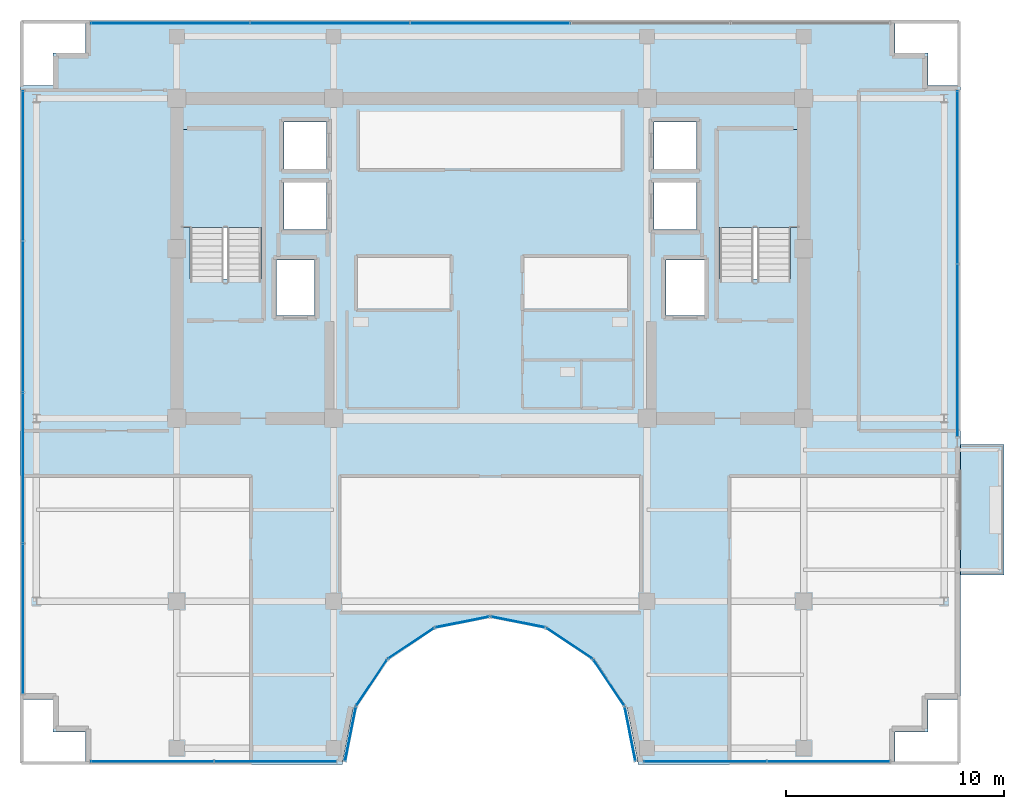
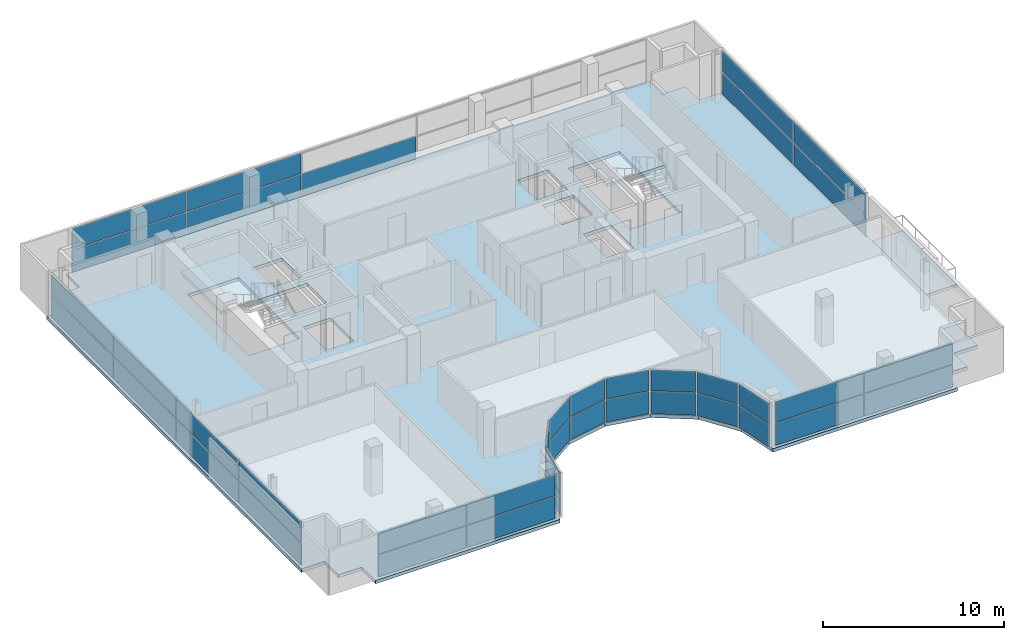
# One storey, part 22 of 29: 41 plates, 4 slabs, 15 elements without a shape of their own.
"""IFC4 building model written with IfcOpenShell, lengths in metres."""

from ifc_helpers import new_model, si_unit, direction, frame, origin, origin_2d, place, context, subcontext, project, spatial, polyline, rectangle, outline, extrude, source, transform, mapped, material, layer, layer_set, type_object, element, aggregate, save


model = new_model("IFC4")

# Units and contexts
model_context = context("Model", 3, precision=1e-05, world=origin(), true_north=direction((0.0, 1.0)))
body_context = subcontext(model_context, "Body", "Model", "MODEL_VIEW")
ifc_project = project(units=[si_unit("LENGTHUNIT", "METRE"), si_unit("AREAUNIT", "SQUARE_METRE"), si_unit("VOLUMEUNIT", "CUBIC_METRE"), si_unit("PLANEANGLEUNIT", "RADIAN"), si_unit("MASSUNIT", "GRAM", prefix="KILO")], contexts=[model_context])

# Site, building, storey
site_placement = place(None, origin())
site = spatial("IfcSite", under=ifc_project, at=site_placement, CompositionType="ELEMENT")
building_placement = place(site_placement, origin())
building = spatial("IfcBuilding", under=site, at=building_placement, Name="Zarnakvel Exchange Tower", CompositionType="ELEMENT")
storey_placement = place(building_placement, frame((0.0, 0.0, 265.0)))
storey = spatial("IfcBuildingStorey", under=building, at=storey_placement, Name="L75", CompositionType="ELEMENT", Elevation=265.0)

# Stair, slab
ifc_material_1 = material(Name="Concrete C40/50", Category="concrete")
stair_type = type_object("IfcStairType", Name="STR-01", PredefinedType="HALF_TURN_STAIR", material=ifc_material_1)
stair_1_placement = place(storey_placement, origin())
stair_1 = element("IfcStair", 1, at=stair_1_placement, inside=storey, type_object=stair_type, Name="L75 Protected Core Exit Stair ST-01", PredefinedType="HALF_TURN_STAIR")
ifc_layer_1 = layer(ifc_material_1, 0.199951171875)
ifc_layer_set_1 = layer_set([ifc_layer_1], Name="Concrete C40/50")
slab_type_1 = type_object("IfcSlabType", Name="LDG-01", PredefinedType="LANDING", material=ifc_layer_set_1)
slab_1_placement = place(storey_placement, frame((0.0, 0.0, 1.449951171875)))
slab_1 = element("IfcSlab", 2, at=slab_1_placement, type_object=slab_type_1, Name="ST-01 landing 1", PredefinedType="LANDING", context=body_context, shape_type="SweptSolid", body=[
    extrude(outline(polyline([(-14.18994140625, 7.570068359375), (-10.4599609375, 7.570068359375), (-10.4599609375, 12.080078125), (-14.18994140625, 12.080078125), (-14.18994140625, 7.570068359375)])), origin(), (0.0, 0.0, 1.0), 0.199951171875),
])
aggregate(stair_1, [slab_1])

stair_2_placement = place(storey_placement, origin())
stair_2 = element("IfcStair", 3, at=stair_2_placement, inside=storey, type_object=stair_type, Name="L75 Protected Core Exit Stair ST-02", PredefinedType="HALF_TURN_STAIR")
slab_2_placement = place(storey_placement, frame((0.0, 0.0, 1.449951171875)))
slab_2 = element("IfcSlab", 4, at=slab_2_placement, type_object=slab_type_1, Name="ST-02 landing 1", PredefinedType="LANDING", context=body_context, shape_type="SweptSolid", body=[
    extrude(outline(polyline([(10.4599609375, 7.570068359375), (14.18994140625, 7.570068359375), (14.18994140625, 12.080078125), (10.4599609375, 12.080078125), (10.4599609375, 7.570068359375)])), origin(), (0.0, 0.0, 1.0), 0.199951171875),
])
aggregate(stair_2, [slab_2])

# Slabs
ifc_layer_2 = layer(ifc_material_1, 0.22509765625)
ifc_layer_set_2 = layer_set([ifc_layer_2], Name="Concrete C40/50")
slab_type_2 = type_object("IfcSlabType", Name="SL-04", PredefinedType="FLOOR", material=ifc_layer_set_2)
slab_3_placement = place(storey_placement, frame((0.0, 0.0, -0.22509765625)))
element("IfcSlab", 5, at=slab_3_placement, inside=storey, type_object=slab_type_2, Name="L75 Primary Structural Floor Slab", PredefinedType="FLOOR", context=body_context, shape_type="SweptSolid", body=[
    extrude(outline(polyline([(-21.60009765625, -14.10009765625), (-20.10009765625, -14.10009765625), (-20.10009765625, -15.60009765625), (-18.60009765625, -15.60009765625), (-18.60009765625, -17.10009765625), (-6.800048828125, -17.10009765625), (-6.282470703125, -14.497802734375), (-4.808349609375, -12.291748046875), (-2.602294921875, -10.817626953125), (0.0, -10.300048828125), (2.602294921875, -10.817626953125), (4.808349609375, -12.291748046875), (6.282470703125, -14.497802734375), (6.800048828125, -17.10009765625), (18.60009765625, -17.10009765625), (18.60009765625, -15.60009765625), (20.10009765625, -15.60009765625), (20.10009765625, -14.10009765625), (21.60009765625, -14.10009765625), (21.60009765625, 14.10009765625), (20.10009765625, 14.10009765625), (20.10009765625, 15.60009765625), (18.60009765625, 15.60009765625), (18.60009765625, 17.10009765625), (-18.60009765625, 17.10009765625), (-18.60009765625, 15.60009765625), (-20.10009765625, 15.60009765625), (-20.10009765625, 14.10009765625), (-21.60009765625, 14.10009765625), (-21.60009765625, -14.10009765625)]), holes=[polyline([(-13.800048828125, 5.2099609375), (-10.5400390625, 5.2099609375), (-10.5400390625, 12.0), (-13.800048828125, 12.0), (-13.800048828125, 5.2099609375)]), polyline([(10.5400390625, 5.2099609375), (13.800048828125, 5.2099609375), (13.800048828125, 12.0), (10.5400390625, 12.0), (10.5400390625, 5.2099609375)]), polyline([(-9.830078125, 3.52001953125), (-8.070068359375, 3.52001953125), (-8.070068359375, 6.080078125), (-9.830078125, 6.080078125), (-9.830078125, 3.52001953125)]), polyline([(8.070068359375, 3.52001953125), (9.830078125, 3.52001953125), (9.830078125, 6.080078125), (8.070068359375, 6.080078125), (8.070068359375, 3.52001953125)]), polyline([(-9.47998046875, 7.469970703125), (-7.52001953125, 7.469970703125), (-7.52001953125, 9.6298828125), (-9.47998046875, 9.6298828125), (-9.47998046875, 7.469970703125)]), polyline([(-9.47998046875, 10.27001953125), (-7.52001953125, 10.27001953125), (-7.52001953125, 12.429931640625), (-9.47998046875, 12.429931640625), (-9.47998046875, 10.27001953125)]), polyline([(7.52001953125, 7.469970703125), (9.47998046875, 7.469970703125), (9.47998046875, 9.6298828125), (7.52001953125, 9.6298828125), (7.52001953125, 7.469970703125)]), polyline([(7.52001953125, 10.27001953125), (9.47998046875, 10.27001953125), (9.47998046875, 12.429931640625), (7.52001953125, 12.429931640625), (7.52001953125, 10.27001953125)])]), origin(), (0.0, 0.0, 1.0), 0.22509765625),
])
ifc_layer_3 = layer(ifc_material_1, 0.18994140625)
ifc_layer_set_3 = layer_set([ifc_layer_3], Name="Concrete C40/50")
slab_type_3 = type_object("IfcSlabType", Name="SL-08", PredefinedType="USERDEFINED", material=ifc_layer_set_3)
slab_4_placement = place(storey_placement, frame((0.0, 0.0, -0.22509765625)))
element("IfcSlab", 6, at=slab_4_placement, inside=storey, type_object=slab_type_3, Name="L75 Planted Loggia Balcony Slab BAL-L75-E", ObjectType="BALCONY", PredefinedType="USERDEFINED", context=body_context, shape_type="SweptSolid", body=[
    extrude(outline(polyline([(21.60009765625, -8.39990234375), (23.60009765625, -8.39990234375), (23.60009765625, -2.39990234375), (21.60009765625, -2.39990234375), (21.60009765625, -8.39990234375)])), origin(), (0.0, 0.0, 1.0), 0.190185546875),
])

# Curtain wall, plates
ifc_material_2 = material(Name="Architectural Bronze Anodised Aluminium", Category="aluminium")
ifc_layer_4 = layer(ifc_material_2, 0.199951171875)
ifc_layer_set_4 = layer_set([ifc_layer_4], Name="Architectural Bronze Anodised Aluminium")
curtain_wall_type_1 = type_object("IfcCurtainWallType", Name="CW-04", PredefinedType="NOTDEFINED", material=ifc_layer_set_4)
curtain_wall_1_placement = place(storey_placement, origin())
curtain_wall_1 = element("IfcCurtainWall", 7, at=curtain_wall_1_placement, inside=storey, type_object=curtain_wall_type_1, Name="L75 Curtain Wall CW-L75-W1 (CW-04)", PredefinedType="NOTDEFINED")
ifc_material_3 = material(Name="Double Low-E Laminated Vision Glass", Category="glass")
ifc_layer_5 = layer(ifc_material_3, 0.028076171875)
ifc_layer_set_5 = layer_set([ifc_layer_5], Name="Double Low-E Laminated Vision Glass")
plate_type_1 = type_object("IfcPlateType", Name="CWP-04", PredefinedType="CURTAIN_PANEL", material=ifc_layer_set_5)
shared_shape_1 = source(origin(), body_context, "Body", "SweptSolid", [
    extrude(rectangle(XDim=6.83740234375, YDim=0.028076171875, at=origin_2d()), origin(), (0.0, 0.0, 1.0), 1.47607421875),
])
plate_1_placement = place(storey_placement, frame((-21.4599609375, -10.40625, 0.074951171875), z_axis=(0.0, 0.0, 1.0), x_axis=(0.0, 1.0, 0.0)))
plate_1 = element("IfcPlate", 8, at=plate_1_placement, type_object=plate_type_1, Name="CW-04 panel 1.1", PredefinedType="CURTAIN_PANEL", context=body_context, shape_type="MappedRepresentation", body=[
    mapped(shared_shape_1, transform((0.0, 0.0, 0.0), x_axis=(1.0, 0.0, 0.0), y_axis=(0.0, 1.0, 0.0), z_axis=(0.0, 0.0, 1.0), scale=1.0)),
])
plate_2_placement = place(storey_placement, frame((-21.4599609375, 10.40625, 0.074951171875), z_axis=(0.0, 0.0, 1.0), x_axis=(0.0, 1.0, 0.0)))
plate_2 = element("IfcPlate", 9, at=plate_2_placement, type_object=plate_type_1, Name="CW-04 panel 4.1", PredefinedType="CURTAIN_PANEL", context=body_context, shape_type="MappedRepresentation", body=[
    mapped(shared_shape_1, transform((0.0, 0.0, 0.0), x_axis=(1.0, 0.0, 0.0), y_axis=(0.0, 1.0, 0.0), z_axis=(0.0, 0.0, 1.0), scale=1.0)),
])
shared_shape_2 = source(origin(), body_context, "Body", "SweptSolid", [
    extrude(rectangle(XDim=6.83740234375, YDim=0.028076171875, at=origin_2d()), origin(), (0.0, 0.0, 1.0), 1.35400390625),
])
plate_3_placement = place(storey_placement, frame((-21.4599609375, -10.40625, 1.6259765625), z_axis=(0.0, 0.0, 1.0), x_axis=(0.0, 1.0, 0.0)))
plate_3 = element("IfcPlate", 10, at=plate_3_placement, type_object=plate_type_1, Name="CW-04 panel 1.2", PredefinedType="CURTAIN_PANEL", context=body_context, shape_type="MappedRepresentation", body=[
    mapped(shared_shape_2, transform((0.0, 0.0, 0.0), x_axis=(1.0, 0.0, 0.0), y_axis=(0.0, 1.0, 0.0), z_axis=(0.0, 0.0, 1.0), scale=1.0)),
])
plate_4_placement = place(storey_placement, frame((-21.4599609375, 10.40625, 1.6259765625), z_axis=(0.0, 0.0, 1.0), x_axis=(0.0, 1.0, 0.0)))
plate_4 = element("IfcPlate", 11, at=plate_4_placement, type_object=plate_type_1, Name="CW-04 panel 4.2", PredefinedType="CURTAIN_PANEL", context=body_context, shape_type="MappedRepresentation", body=[
    mapped(shared_shape_2, transform((0.0, 0.0, 0.0), x_axis=(1.0, 0.0, 0.0), y_axis=(0.0, 1.0, 0.0), z_axis=(0.0, 0.0, 1.0), scale=1.0)),
])
shared_shape_3 = source(origin(), body_context, "Body", "SweptSolid", [
    extrude(rectangle(XDim=6.875, YDim=0.028076171875, at=origin_2d()), origin(), (0.0, 0.0, 1.0), 1.47607421875),
])
plate_5_placement = place(storey_placement, frame((-21.4599609375, -3.47509765625, 0.074951171875), z_axis=(0.0, 0.0, 1.0), x_axis=(0.0, 1.0, 0.0)))
plate_5 = element("IfcPlate", 12, at=plate_5_placement, type_object=plate_type_1, Name="CW-04 panel 2.1", PredefinedType="CURTAIN_PANEL", context=body_context, shape_type="MappedRepresentation", body=[
    mapped(shared_shape_3, transform((0.0, 0.0, 0.0), x_axis=(1.0, 0.0, 0.0), y_axis=(0.0, 1.0, 0.0), z_axis=(0.0, 0.0, 1.0), scale=1.0)),
])
plate_6_placement = place(storey_placement, frame((-21.4599609375, 3.47509765625, 0.074951171875), z_axis=(0.0, 0.0, 1.0), x_axis=(0.0, 1.0, 0.0)))
plate_6 = element("IfcPlate", 13, at=plate_6_placement, type_object=plate_type_1, Name="CW-04 panel 3.1", PredefinedType="CURTAIN_PANEL", context=body_context, shape_type="MappedRepresentation", body=[
    mapped(shared_shape_3, transform((0.0, 0.0, 0.0), x_axis=(1.0, 0.0, 0.0), y_axis=(0.0, 1.0, 0.0), z_axis=(0.0, 0.0, 1.0), scale=1.0)),
])
shared_shape_4 = source(origin(), body_context, "Body", "SweptSolid", [
    extrude(rectangle(XDim=6.875, YDim=0.028076171875, at=origin_2d()), origin(), (0.0, 0.0, 1.0), 1.35400390625),
])
plate_7_placement = place(storey_placement, frame((-21.4599609375, -3.47509765625, 1.6259765625), z_axis=(0.0, 0.0, 1.0), x_axis=(0.0, 1.0, 0.0)))
plate_7 = element("IfcPlate", 14, at=plate_7_placement, type_object=plate_type_1, Name="CW-04 panel 2.2", PredefinedType="CURTAIN_PANEL", context=body_context, shape_type="MappedRepresentation", body=[
    mapped(shared_shape_4, transform((0.0, 0.0, 0.0), x_axis=(1.0, 0.0, 0.0), y_axis=(0.0, 1.0, 0.0), z_axis=(0.0, 0.0, 1.0), scale=1.0)),
])
plate_8_placement = place(storey_placement, frame((-21.4599609375, 3.47509765625, 1.6259765625), z_axis=(0.0, 0.0, 1.0), x_axis=(0.0, 1.0, 0.0)))
plate_8 = element("IfcPlate", 15, at=plate_8_placement, type_object=plate_type_1, Name="CW-04 panel 3.2", PredefinedType="CURTAIN_PANEL", context=body_context, shape_type="MappedRepresentation", body=[
    mapped(shared_shape_4, transform((0.0, 0.0, 0.0), x_axis=(1.0, 0.0, 0.0), y_axis=(0.0, 1.0, 0.0), z_axis=(0.0, 0.0, 1.0), scale=1.0)),
])
aggregate(curtain_wall_1, [plate_1, plate_3, plate_5, plate_7, plate_6, plate_8, plate_2, plate_4])

curtain_wall_2_placement = place(storey_placement, origin())
curtain_wall_2 = element("IfcCurtainWall", 16, at=curtain_wall_2_placement, inside=storey, type_object=curtain_wall_type_1, Name="L75 Curtain Wall CW-L75-EN (CW-04)", PredefinedType="NOTDEFINED")
shared_shape_5 = source(origin(), body_context, "Body", "SweptSolid", [
    extrude(rectangle(XDim=7.887451171875, YDim=0.028076171875, at=origin_2d()), origin(), (0.0, 0.0, 1.0), 1.47607421875),
])
plate_9_placement = place(storey_placement, frame((21.4599609375, 1.918701171875, 0.074951171875), z_axis=(0.0, 0.0, 1.0), x_axis=(0.0, 1.0, 0.0)))
plate_9 = element("IfcPlate", 17, at=plate_9_placement, type_object=plate_type_1, Name="CW-04 panel 1.1", PredefinedType="CURTAIN_PANEL", context=body_context, shape_type="MappedRepresentation", body=[
    mapped(shared_shape_5, transform((0.0, 0.0, 0.0), x_axis=(1.0, 0.0, 0.0), y_axis=(0.0, 1.0, 0.0), z_axis=(0.0, 0.0, 1.0), scale=1.0)),
])
plate_10_placement = place(storey_placement, frame((21.4599609375, 9.88134765625, 0.074951171875), z_axis=(0.0, 0.0, 1.0), x_axis=(0.0, 1.0, 0.0)))
plate_10 = element("IfcPlate", 18, at=plate_10_placement, type_object=plate_type_1, Name="CW-04 panel 2.1", PredefinedType="CURTAIN_PANEL", context=body_context, shape_type="MappedRepresentation", body=[
    mapped(shared_shape_5, transform((0.0, 0.0, 0.0), x_axis=(1.0, 0.0, 0.0), y_axis=(0.0, 1.0, 0.0), z_axis=(0.0, 0.0, 1.0), scale=1.0)),
])
shared_shape_6 = source(origin(), body_context, "Body", "SweptSolid", [
    extrude(rectangle(XDim=7.887451171875, YDim=0.028076171875, at=origin_2d()), origin(), (0.0, 0.0, 1.0), 1.35400390625),
])
plate_11_placement = place(storey_placement, frame((21.4599609375, 1.918701171875, 1.6259765625), z_axis=(0.0, 0.0, 1.0), x_axis=(0.0, 1.0, 0.0)))
plate_11 = element("IfcPlate", 19, at=plate_11_placement, type_object=plate_type_1, Name="CW-04 panel 1.2", PredefinedType="CURTAIN_PANEL", context=body_context, shape_type="MappedRepresentation", body=[
    mapped(shared_shape_6, transform((0.0, 0.0, 0.0), x_axis=(1.0, 0.0, 0.0), y_axis=(0.0, 1.0, 0.0), z_axis=(0.0, 0.0, 1.0), scale=1.0)),
])
plate_12_placement = place(storey_placement, frame((21.4599609375, 9.88134765625, 1.6259765625), z_axis=(0.0, 0.0, 1.0), x_axis=(0.0, 1.0, 0.0)))
plate_12 = element("IfcPlate", 20, at=plate_12_placement, type_object=plate_type_1, Name="CW-04 panel 2.2", PredefinedType="CURTAIN_PANEL", context=body_context, shape_type="MappedRepresentation", body=[
    mapped(shared_shape_6, transform((0.0, 0.0, 0.0), x_axis=(1.0, 0.0, 0.0), y_axis=(0.0, 1.0, 0.0), z_axis=(0.0, 0.0, 1.0), scale=1.0)),
])
aggregate(curtain_wall_2, [plate_9, plate_11, plate_10, plate_12])

# Curtain wall, plate
ifc_layer_6 = layer(ifc_material_2, 0.159912109375)
ifc_layer_set_6 = layer_set([ifc_layer_6], Name="Architectural Bronze Anodised Aluminium")
curtain_wall_type_2 = type_object("IfcCurtainWallType", Name="CW-06", PredefinedType="NOTDEFINED", material=ifc_layer_set_6)
curtain_wall_3_placement = place(storey_placement, origin())
curtain_wall_3 = element("IfcCurtainWall", 21, at=curtain_wall_3_placement, inside=storey, type_object=curtain_wall_type_2, Name="L75 Curtain Wall CW-L75-NC1 (CW-06)", PredefinedType="NOTDEFINED")
ifc_layer_7 = layer(ifc_material_3, 0.033935546875)
ifc_layer_set_7 = layer_set([ifc_layer_7], Name="Double Low-E Laminated Vision Glass")
plate_type_2 = type_object("IfcPlateType", Name="CWP-06", PredefinedType="CURTAIN_PANEL", material=ifc_layer_set_7)
shared_shape_7 = source(origin(), body_context, "Body", "SweptSolid", [
    extrude(rectangle(XDim=2.476318359375, YDim=0.033935546875, at=origin_2d()), origin(), (0.0, 0.0, 1.0), 1.4912109375),
])
plate_13_placement = place(storey_placement, frame((-6.42578125, -15.701904296875, 0.06494140625), z_axis=(0.0, 0.0, 1.0), x_axis=(0.195090448398, 0.980785255264, 0.0)))
plate_13 = element("IfcPlate", 22, at=plate_13_placement, type_object=plate_type_2, Name="CW-06 panel 1.1", PredefinedType="CURTAIN_PANEL", context=body_context, shape_type="MappedRepresentation", body=[
    mapped(shared_shape_7, transform((0.0, 0.0, 0.0), x_axis=(1.0, 0.0, 0.0), y_axis=(0.0, 1.0, 0.0), z_axis=(0.0, 0.0, 1.0), scale=1.0)),
])

curtain_wall_4_placement = place(storey_placement, origin())
curtain_wall_4 = element("IfcCurtainWall", 23, at=curtain_wall_4_placement, inside=storey, type_object=curtain_wall_type_2, Name="L75 Curtain Wall CW-L75-NC2 (CW-06)", PredefinedType="NOTDEFINED")
plate_14_placement = place(storey_placement, frame((-5.447509765625, -13.340087890625, 0.06494140625), z_axis=(0.0, 0.0, 1.0), x_axis=(0.555570233339, 0.831469612089, 0.0)))
plate_14 = element("IfcPlate", 24, at=plate_14_placement, type_object=plate_type_2, Name="CW-06 panel 1.1", PredefinedType="CURTAIN_PANEL", context=body_context, shape_type="MappedRepresentation", body=[
    mapped(shared_shape_7, transform((0.0, 0.0, 0.0), x_axis=(1.0, 0.0, 0.0), y_axis=(0.0, 1.0, 0.0), z_axis=(0.0, 0.0, 1.0), scale=1.0)),
])

curtain_wall_5_placement = place(storey_placement, origin())
curtain_wall_5 = element("IfcCurtainWall", 25, at=curtain_wall_5_placement, inside=storey, type_object=curtain_wall_type_2, Name="L75 Curtain Wall CW-L75-NC3 (CW-06)", PredefinedType="NOTDEFINED")
plate_15_placement = place(storey_placement, frame((-3.639892578125, -11.532470703125, 0.06494140625), z_axis=(0.0, 0.0, 1.0), x_axis=(0.831469612089, 0.555570233339, 0.0)))
plate_15 = element("IfcPlate", 26, at=plate_15_placement, type_object=plate_type_2, Name="CW-06 panel 1.1", PredefinedType="CURTAIN_PANEL", context=body_context, shape_type="MappedRepresentation", body=[
    mapped(shared_shape_7, transform((0.0, 0.0, 0.0), x_axis=(1.0, 0.0, 0.0), y_axis=(0.0, 1.0, 0.0), z_axis=(0.0, 0.0, 1.0), scale=1.0)),
])

curtain_wall_6_placement = place(storey_placement, origin())
curtain_wall_6 = element("IfcCurtainWall", 27, at=curtain_wall_6_placement, inside=storey, type_object=curtain_wall_type_2, Name="L75 Curtain Wall CW-L75-NC4 (CW-06)", PredefinedType="NOTDEFINED")
plate_16_placement = place(storey_placement, frame((-1.278076171875, -10.55419921875, 0.06494140625), z_axis=(0.0, 0.0, 1.0), x_axis=(0.980785255264, 0.195090448398, 0.0)))
plate_16 = element("IfcPlate", 28, at=plate_16_placement, type_object=plate_type_2, Name="CW-06 panel 1.1", PredefinedType="CURTAIN_PANEL", context=body_context, shape_type="MappedRepresentation", body=[
    mapped(shared_shape_7, transform((0.0, 0.0, 0.0), x_axis=(1.0, 0.0, 0.0), y_axis=(0.0, 1.0, 0.0), z_axis=(0.0, 0.0, 1.0), scale=1.0)),
])

curtain_wall_7_placement = place(storey_placement, origin())
curtain_wall_7 = element("IfcCurtainWall", 29, at=curtain_wall_7_placement, inside=storey, type_object=curtain_wall_type_2, Name="L75 Curtain Wall CW-L75-NC5 (CW-06)", PredefinedType="NOTDEFINED")
plate_17_placement = place(storey_placement, frame((1.278076171875, -10.55419921875, 0.06494140625), z_axis=(0.0, 0.0, 1.0), x_axis=(0.980785255264, -0.195090448398, 0.0)))
plate_17 = element("IfcPlate", 30, at=plate_17_placement, type_object=plate_type_2, Name="CW-06 panel 1.1", PredefinedType="CURTAIN_PANEL", context=body_context, shape_type="MappedRepresentation", body=[
    mapped(shared_shape_7, transform((0.0, 0.0, 0.0), x_axis=(1.0, 0.0, 0.0), y_axis=(0.0, 1.0, 0.0), z_axis=(0.0, 0.0, 1.0), scale=1.0)),
])

curtain_wall_8_placement = place(storey_placement, origin())
curtain_wall_8 = element("IfcCurtainWall", 31, at=curtain_wall_8_placement, inside=storey, type_object=curtain_wall_type_2, Name="L75 Curtain Wall CW-L75-NC6 (CW-06)", PredefinedType="NOTDEFINED")
plate_18_placement = place(storey_placement, frame((3.639892578125, -11.532470703125, 0.06494140625), z_axis=(0.0, 0.0, 1.0), x_axis=(0.831469612089, -0.555570233339, 0.0)))
plate_18 = element("IfcPlate", 32, at=plate_18_placement, type_object=plate_type_2, Name="CW-06 panel 1.1", PredefinedType="CURTAIN_PANEL", context=body_context, shape_type="MappedRepresentation", body=[
    mapped(shared_shape_7, transform((0.0, 0.0, 0.0), x_axis=(1.0, 0.0, 0.0), y_axis=(0.0, 1.0, 0.0), z_axis=(0.0, 0.0, 1.0), scale=1.0)),
])

curtain_wall_9_placement = place(storey_placement, origin())
curtain_wall_9 = element("IfcCurtainWall", 33, at=curtain_wall_9_placement, inside=storey, type_object=curtain_wall_type_2, Name="L75 Curtain Wall CW-L75-NC7 (CW-06)", PredefinedType="NOTDEFINED")
plate_19_placement = place(storey_placement, frame((5.447509765625, -13.340087890625, 0.06494140625), z_axis=(0.0, 0.0, 1.0), x_axis=(0.555570233339, -0.831469612089, 0.0)))
plate_19 = element("IfcPlate", 34, at=plate_19_placement, type_object=plate_type_2, Name="CW-06 panel 1.1", PredefinedType="CURTAIN_PANEL", context=body_context, shape_type="MappedRepresentation", body=[
    mapped(shared_shape_7, transform((0.0, 0.0, 0.0), x_axis=(1.0, 0.0, 0.0), y_axis=(0.0, 1.0, 0.0), z_axis=(0.0, 0.0, 1.0), scale=1.0)),
])

curtain_wall_10_placement = place(storey_placement, origin())
curtain_wall_10 = element("IfcCurtainWall", 35, at=curtain_wall_10_placement, inside=storey, type_object=curtain_wall_type_2, Name="L75 Curtain Wall CW-L75-NC8 (CW-06)", PredefinedType="NOTDEFINED")
plate_20_placement = place(storey_placement, frame((6.42578125, -15.701904296875, 0.06494140625), z_axis=(0.0, 0.0, 1.0), x_axis=(0.195090448398, -0.980785255264, 0.0)))
plate_20 = element("IfcPlate", 36, at=plate_20_placement, type_object=plate_type_2, Name="CW-06 panel 1.1", PredefinedType="CURTAIN_PANEL", context=body_context, shape_type="MappedRepresentation", body=[
    mapped(shared_shape_7, transform((0.0, 0.0, 0.0), x_axis=(1.0, 0.0, 0.0), y_axis=(0.0, 1.0, 0.0), z_axis=(0.0, 0.0, 1.0), scale=1.0)),
])

# Plate
shared_shape_8 = source(origin(), body_context, "Body", "SweptSolid", [
    extrude(rectangle(XDim=2.476318359375, YDim=0.033935546875, at=origin_2d()), origin(), (0.0, 0.0, 1.0), 1.368896484375),
])
plate_21_placement = place(storey_placement, frame((-6.42578125, -15.701904296875, 1.62109375), z_axis=(0.0, 0.0, 1.0), x_axis=(0.195090448398, 0.980785255264, 0.0)))
plate_21 = element("IfcPlate", 37, at=plate_21_placement, type_object=plate_type_2, Name="CW-06 panel 1.2", PredefinedType="CURTAIN_PANEL", context=body_context, shape_type="MappedRepresentation", body=[
    mapped(shared_shape_8, transform((0.0, 0.0, 0.0), x_axis=(1.0, 0.0, 0.0), y_axis=(0.0, 1.0, 0.0), z_axis=(0.0, 0.0, 1.0), scale=1.0)),
])

aggregate(curtain_wall_3, [plate_13, plate_21])

plate_22_placement = place(storey_placement, frame((-5.447509765625, -13.340087890625, 1.62109375), z_axis=(0.0, 0.0, 1.0), x_axis=(0.555570233339, 0.831469612089, 0.0)))
plate_22 = element("IfcPlate", 38, at=plate_22_placement, type_object=plate_type_2, Name="CW-06 panel 1.2", PredefinedType="CURTAIN_PANEL", context=body_context, shape_type="MappedRepresentation", body=[
    mapped(shared_shape_8, transform((0.0, 0.0, 0.0), x_axis=(1.0, 0.0, 0.0), y_axis=(0.0, 1.0, 0.0), z_axis=(0.0, 0.0, 1.0), scale=1.0)),
])

aggregate(curtain_wall_4, [plate_14, plate_22])

plate_23_placement = place(storey_placement, frame((-3.639892578125, -11.532470703125, 1.62109375), z_axis=(0.0, 0.0, 1.0), x_axis=(0.831469612089, 0.555570233339, 0.0)))
plate_23 = element("IfcPlate", 39, at=plate_23_placement, type_object=plate_type_2, Name="CW-06 panel 1.2", PredefinedType="CURTAIN_PANEL", context=body_context, shape_type="MappedRepresentation", body=[
    mapped(shared_shape_8, transform((0.0, 0.0, 0.0), x_axis=(1.0, 0.0, 0.0), y_axis=(0.0, 1.0, 0.0), z_axis=(0.0, 0.0, 1.0), scale=1.0)),
])

aggregate(curtain_wall_5, [plate_15, plate_23])

plate_24_placement = place(storey_placement, frame((-1.278076171875, -10.55419921875, 1.62109375), z_axis=(0.0, 0.0, 1.0), x_axis=(0.980785255264, 0.195090448398, 0.0)))
plate_24 = element("IfcPlate", 40, at=plate_24_placement, type_object=plate_type_2, Name="CW-06 panel 1.2", PredefinedType="CURTAIN_PANEL", context=body_context, shape_type="MappedRepresentation", body=[
    mapped(shared_shape_8, transform((0.0, 0.0, 0.0), x_axis=(1.0, 0.0, 0.0), y_axis=(0.0, 1.0, 0.0), z_axis=(0.0, 0.0, 1.0), scale=1.0)),
])

aggregate(curtain_wall_6, [plate_16, plate_24])

plate_25_placement = place(storey_placement, frame((1.278076171875, -10.55419921875, 1.62109375), z_axis=(0.0, 0.0, 1.0), x_axis=(0.980785255264, -0.195090448398, 0.0)))
plate_25 = element("IfcPlate", 41, at=plate_25_placement, type_object=plate_type_2, Name="CW-06 panel 1.2", PredefinedType="CURTAIN_PANEL", context=body_context, shape_type="MappedRepresentation", body=[
    mapped(shared_shape_8, transform((0.0, 0.0, 0.0), x_axis=(1.0, 0.0, 0.0), y_axis=(0.0, 1.0, 0.0), z_axis=(0.0, 0.0, 1.0), scale=1.0)),
])

aggregate(curtain_wall_7, [plate_17, plate_25])

plate_26_placement = place(storey_placement, frame((3.639892578125, -11.532470703125, 1.62109375), z_axis=(0.0, 0.0, 1.0), x_axis=(0.831469612089, -0.555570233339, 0.0)))
plate_26 = element("IfcPlate", 42, at=plate_26_placement, type_object=plate_type_2, Name="CW-06 panel 1.2", PredefinedType="CURTAIN_PANEL", context=body_context, shape_type="MappedRepresentation", body=[
    mapped(shared_shape_8, transform((0.0, 0.0, 0.0), x_axis=(1.0, 0.0, 0.0), y_axis=(0.0, 1.0, 0.0), z_axis=(0.0, 0.0, 1.0), scale=1.0)),
])

aggregate(curtain_wall_8, [plate_18, plate_26])

plate_27_placement = place(storey_placement, frame((5.447509765625, -13.340087890625, 1.62109375), z_axis=(0.0, 0.0, 1.0), x_axis=(0.555570233339, -0.831469612089, 0.0)))
plate_27 = element("IfcPlate", 43, at=plate_27_placement, type_object=plate_type_2, Name="CW-06 panel 1.2", PredefinedType="CURTAIN_PANEL", context=body_context, shape_type="MappedRepresentation", body=[
    mapped(shared_shape_8, transform((0.0, 0.0, 0.0), x_axis=(1.0, 0.0, 0.0), y_axis=(0.0, 1.0, 0.0), z_axis=(0.0, 0.0, 1.0), scale=1.0)),
])

aggregate(curtain_wall_9, [plate_19, plate_27])

plate_28_placement = place(storey_placement, frame((6.42578125, -15.701904296875, 1.62109375), z_axis=(0.0, 0.0, 1.0), x_axis=(0.195090448398, -0.980785255264, 0.0)))
plate_28 = element("IfcPlate", 44, at=plate_28_placement, type_object=plate_type_2, Name="CW-06 panel 1.2", PredefinedType="CURTAIN_PANEL", context=body_context, shape_type="MappedRepresentation", body=[
    mapped(shared_shape_8, transform((0.0, 0.0, 0.0), x_axis=(1.0, 0.0, 0.0), y_axis=(0.0, 1.0, 0.0), z_axis=(0.0, 0.0, 1.0), scale=1.0)),
])

aggregate(curtain_wall_10, [plate_20, plate_28])

# Curtain wall, plates
curtain_wall_11_placement = place(storey_placement, origin())
curtain_wall_11 = element("IfcCurtainWall", 45, at=curtain_wall_11_placement, inside=storey, type_object=curtain_wall_type_2, Name="L75 Curtain Wall CW-L75-NSW (CW-06)", PredefinedType="NOTDEFINED")
shared_shape_9 = source(origin(), body_context, "Body", "SweptSolid", [
    extrude(rectangle(XDim=5.6025390625, YDim=0.033935546875, at=origin_2d()), origin(), (0.0, 0.0, 1.0), 1.4912109375),
])
plate_29_placement = place(storey_placement, frame((-15.53369140625, -16.9599609375, 0.06494140625), z_axis=(0.0, 0.0, 1.0), x_axis=(1.0, 0.0, 0.0)))
plate_29 = element("IfcPlate", 46, at=plate_29_placement, type_object=plate_type_2, Name="CW-06 panel 1.1", PredefinedType="CURTAIN_PANEL", context=body_context, shape_type="MappedRepresentation", body=[
    mapped(shared_shape_9, transform((0.0, 0.0, 0.0), x_axis=(1.0, 0.0, 0.0), y_axis=(0.0, 1.0, 0.0), z_axis=(0.0, 0.0, 1.0), scale=1.0)),
])
plate_30_placement = place(storey_placement, frame((-9.8662109375, -16.9599609375, 0.06494140625), z_axis=(0.0, 0.0, 1.0), x_axis=(1.0, 0.0, 0.0)))
plate_30 = element("IfcPlate", 47, at=plate_30_placement, type_object=plate_type_2, Name="CW-06 panel 2.1", PredefinedType="CURTAIN_PANEL", context=body_context, shape_type="MappedRepresentation", body=[
    mapped(shared_shape_9, transform((0.0, 0.0, 0.0), x_axis=(1.0, 0.0, 0.0), y_axis=(0.0, 1.0, 0.0), z_axis=(0.0, 0.0, 1.0), scale=1.0)),
])

curtain_wall_12_placement = place(storey_placement, origin())
curtain_wall_12 = element("IfcCurtainWall", 48, at=curtain_wall_12_placement, inside=storey, type_object=curtain_wall_type_2, Name="L75 Curtain Wall CW-L75-NSE (CW-06)", PredefinedType="NOTDEFINED")
plate_31_placement = place(storey_placement, frame((9.8662109375, -16.9599609375, 0.06494140625), z_axis=(0.0, 0.0, 1.0), x_axis=(1.0, 0.0, 0.0)))
plate_31 = element("IfcPlate", 49, at=plate_31_placement, type_object=plate_type_2, Name="CW-06 panel 1.1", PredefinedType="CURTAIN_PANEL", context=body_context, shape_type="MappedRepresentation", body=[
    mapped(shared_shape_9, transform((0.0, 0.0, 0.0), x_axis=(1.0, 0.0, 0.0), y_axis=(0.0, 1.0, 0.0), z_axis=(0.0, 0.0, 1.0), scale=1.0)),
])
plate_32_placement = place(storey_placement, frame((15.53369140625, -16.9599609375, 0.06494140625), z_axis=(0.0, 0.0, 1.0), x_axis=(1.0, 0.0, 0.0)))
plate_32 = element("IfcPlate", 50, at=plate_32_placement, type_object=plate_type_2, Name="CW-06 panel 2.1", PredefinedType="CURTAIN_PANEL", context=body_context, shape_type="MappedRepresentation", body=[
    mapped(shared_shape_9, transform((0.0, 0.0, 0.0), x_axis=(1.0, 0.0, 0.0), y_axis=(0.0, 1.0, 0.0), z_axis=(0.0, 0.0, 1.0), scale=1.0)),
])

# Plate
shared_shape_10 = source(origin(), body_context, "Body", "SweptSolid", [
    extrude(rectangle(XDim=5.6025390625, YDim=0.033935546875, at=origin_2d()), origin(), (0.0, 0.0, 1.0), 1.368896484375),
])
plate_33_placement = place(storey_placement, frame((-15.53369140625, -16.9599609375, 1.62109375), z_axis=(0.0, 0.0, 1.0), x_axis=(1.0, 0.0, 0.0)))
plate_33 = element("IfcPlate", 51, at=plate_33_placement, type_object=plate_type_2, Name="CW-06 panel 1.2", PredefinedType="CURTAIN_PANEL", context=body_context, shape_type="MappedRepresentation", body=[
    mapped(shared_shape_10, transform((0.0, 0.0, 0.0), x_axis=(1.0, 0.0, 0.0), y_axis=(0.0, 1.0, 0.0), z_axis=(0.0, 0.0, 1.0), scale=1.0)),
])

plate_34_placement = place(storey_placement, frame((-9.8662109375, -16.9599609375, 1.62109375), z_axis=(0.0, 0.0, 1.0), x_axis=(1.0, 0.0, 0.0)))
plate_34 = element("IfcPlate", 52, at=plate_34_placement, type_object=plate_type_2, Name="CW-06 panel 2.2", PredefinedType="CURTAIN_PANEL", context=body_context, shape_type="MappedRepresentation", body=[
    mapped(shared_shape_10, transform((0.0, 0.0, 0.0), x_axis=(1.0, 0.0, 0.0), y_axis=(0.0, 1.0, 0.0), z_axis=(0.0, 0.0, 1.0), scale=1.0)),
])

aggregate(curtain_wall_11, [plate_29, plate_33, plate_30, plate_34])

plate_35_placement = place(storey_placement, frame((9.8662109375, -16.9599609375, 1.62109375), z_axis=(0.0, 0.0, 1.0), x_axis=(1.0, 0.0, 0.0)))
plate_35 = element("IfcPlate", 53, at=plate_35_placement, type_object=plate_type_2, Name="CW-06 panel 1.2", PredefinedType="CURTAIN_PANEL", context=body_context, shape_type="MappedRepresentation", body=[
    mapped(shared_shape_10, transform((0.0, 0.0, 0.0), x_axis=(1.0, 0.0, 0.0), y_axis=(0.0, 1.0, 0.0), z_axis=(0.0, 0.0, 1.0), scale=1.0)),
])

plate_36_placement = place(storey_placement, frame((15.53369140625, -16.9599609375, 1.62109375), z_axis=(0.0, 0.0, 1.0), x_axis=(1.0, 0.0, 0.0)))
plate_36 = element("IfcPlate", 54, at=plate_36_placement, type_object=plate_type_2, Name="CW-06 panel 2.2", PredefinedType="CURTAIN_PANEL", context=body_context, shape_type="MappedRepresentation", body=[
    mapped(shared_shape_10, transform((0.0, 0.0, 0.0), x_axis=(1.0, 0.0, 0.0), y_axis=(0.0, 1.0, 0.0), z_axis=(0.0, 0.0, 1.0), scale=1.0)),
])

aggregate(curtain_wall_12, [plate_31, plate_35, plate_32, plate_36])

# Curtain wall, plates
curtain_wall_13_placement = place(storey_placement, origin())
curtain_wall_13 = element("IfcCurtainWall", 55, at=curtain_wall_13_placement, inside=storey, type_object=curtain_wall_type_2, Name="L75 Curtain Wall CW-L75-N1 (CW-06)", PredefinedType="NOTDEFINED")
shared_shape_11 = source(origin(), body_context, "Body", "SweptSolid", [
    extrude(rectangle(XDim=7.262451171875, YDim=0.033935546875, at=origin_2d()), origin(), (0.0, 0.0, 1.0), 1.4912109375),
])
plate_37_placement = place(storey_placement, frame((-14.703857421875, 16.9599609375, 0.06494140625), z_axis=(0.0, 0.0, 1.0), x_axis=(1.0, 0.0, 0.0)))
plate_37 = element("IfcPlate", 56, at=plate_37_placement, type_object=plate_type_2, Name="CW-06 panel 1.1", PredefinedType="CURTAIN_PANEL", context=body_context, shape_type="MappedRepresentation", body=[
    mapped(shared_shape_11, transform((0.0, 0.0, 0.0), x_axis=(1.0, 0.0, 0.0), y_axis=(0.0, 1.0, 0.0), z_axis=(0.0, 0.0, 1.0), scale=1.0)),
])
shared_shape_12 = source(origin(), body_context, "Body", "SweptSolid", [
    extrude(rectangle(XDim=7.262451171875, YDim=0.033935546875, at=origin_2d()), origin(), (0.0, 0.0, 1.0), 1.368896484375),
])
plate_38_placement = place(storey_placement, frame((-14.703857421875, 16.9599609375, 1.62109375), z_axis=(0.0, 0.0, 1.0), x_axis=(1.0, 0.0, 0.0)))
plate_38 = element("IfcPlate", 57, at=plate_38_placement, type_object=plate_type_2, Name="CW-06 panel 1.2", PredefinedType="CURTAIN_PANEL", context=body_context, shape_type="MappedRepresentation", body=[
    mapped(shared_shape_12, transform((0.0, 0.0, 0.0), x_axis=(1.0, 0.0, 0.0), y_axis=(0.0, 1.0, 0.0), z_axis=(0.0, 0.0, 1.0), scale=1.0)),
])
shared_shape_13 = source(origin(), body_context, "Body", "SweptSolid", [
    extrude(rectangle(XDim=7.294921875, YDim=0.033935546875, at=origin_2d()), origin(), (0.0, 0.0, 1.0), 1.4912109375),
])
plate_39_placement = place(storey_placement, frame((-7.360107421875, 16.9599609375, 0.06494140625), z_axis=(0.0, 0.0, 1.0), x_axis=(1.0, 0.0, 0.0)))
plate_39 = element("IfcPlate", 58, at=plate_39_placement, type_object=plate_type_2, Name="CW-06 panel 2.1", PredefinedType="CURTAIN_PANEL", context=body_context, shape_type="MappedRepresentation", body=[
    mapped(shared_shape_13, transform((0.0, 0.0, 0.0), x_axis=(1.0, 0.0, 0.0), y_axis=(0.0, 1.0, 0.0), z_axis=(0.0, 0.0, 1.0), scale=1.0)),
])
plate_40_placement = place(storey_placement, frame((0.0, 16.9599609375, 0.06494140625), z_axis=(0.0, 0.0, 1.0), x_axis=(1.0, 0.0, 0.0)))
plate_40 = element("IfcPlate", 59, at=plate_40_placement, type_object=plate_type_2, Name="CW-06 panel 3.1", PredefinedType="CURTAIN_PANEL", context=body_context, shape_type="MappedRepresentation", body=[
    mapped(shared_shape_13, transform((0.0, 0.0, 0.0), x_axis=(1.0, 0.0, 0.0), y_axis=(0.0, 1.0, 0.0), z_axis=(0.0, 0.0, 1.0), scale=1.0)),
])
shared_shape_14 = source(origin(), body_context, "Body", "SweptSolid", [
    extrude(rectangle(XDim=7.294921875, YDim=0.033935546875, at=origin_2d()), origin(), (0.0, 0.0, 1.0), 1.368896484375),
])
plate_41_placement = place(storey_placement, frame((-7.360107421875, 16.9599609375, 1.62109375), z_axis=(0.0, 0.0, 1.0), x_axis=(1.0, 0.0, 0.0)))
plate_41 = element("IfcPlate", 60, at=plate_41_placement, type_object=plate_type_2, Name="CW-06 panel 2.2", PredefinedType="CURTAIN_PANEL", context=body_context, shape_type="MappedRepresentation", body=[
    mapped(shared_shape_14, transform((0.0, 0.0, 0.0), x_axis=(1.0, 0.0, 0.0), y_axis=(0.0, 1.0, 0.0), z_axis=(0.0, 0.0, 1.0), scale=1.0)),
])
aggregate(curtain_wall_13, [plate_37, plate_38, plate_39, plate_41, plate_40])

save(model, "model.ifc")
